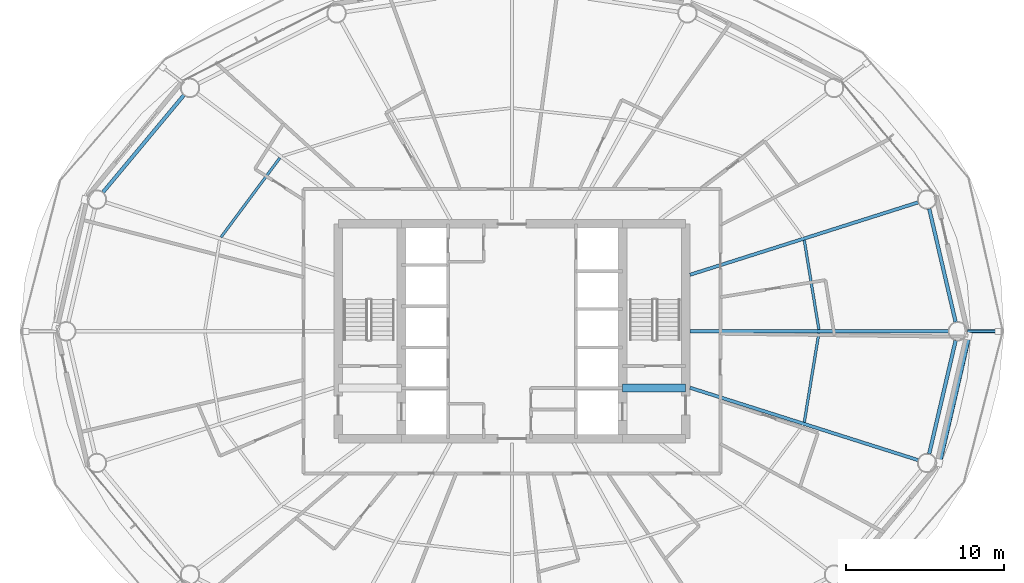
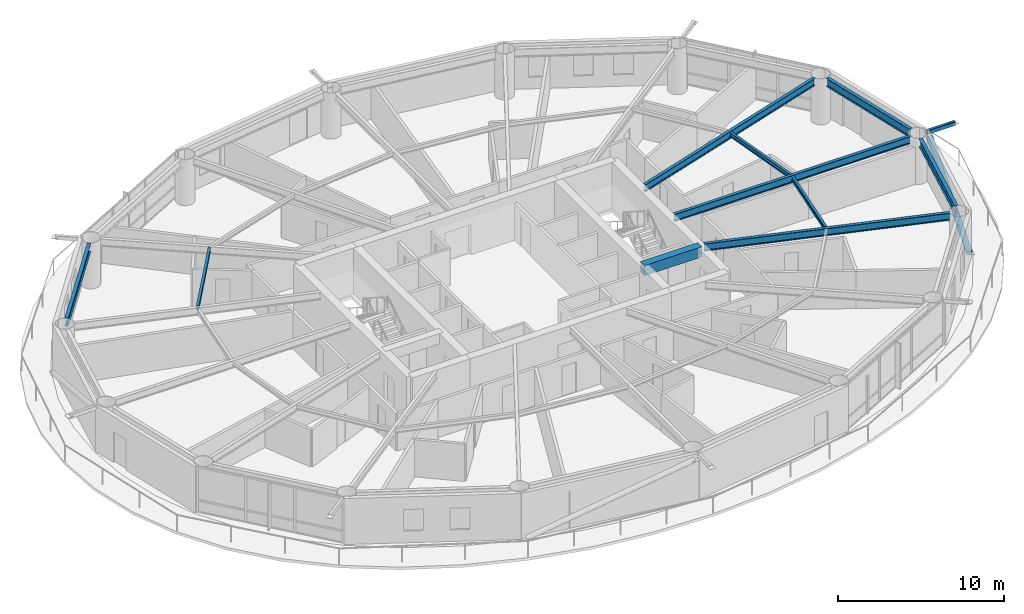
# One storey, part 7 of 24: 10 beams, 2 members.
"""IFC4 building model written with IfcOpenShell, lengths in metres."""

from ifc_helpers import new_model, si_unit, direction, frame, origin, origin_2d, place, context, subcontext, project, spatial, rectangle, hollow_rectangle, hollow_circle, i_section, extrude, material, material_profile, profile_set, type_object, element, save


model = new_model("IFC4")

# Units and contexts
model_context = context("Model", 3, precision=1e-05, world=origin(), true_north=direction((0.0, 1.0)))
body_context = subcontext(model_context, "Body", "Model", "MODEL_VIEW")
ifc_project = project(units=[si_unit("LENGTHUNIT", "METRE"), si_unit("AREAUNIT", "SQUARE_METRE"), si_unit("VOLUMEUNIT", "CUBIC_METRE"), si_unit("PLANEANGLEUNIT", "RADIAN"), si_unit("MASSUNIT", "GRAM", prefix="KILO")], contexts=[model_context])

# Site, building, storey
site_placement = place(None, origin())
site = spatial("IfcSite", under=ifc_project, at=site_placement, CompositionType="ELEMENT")
building_placement = place(site_placement, origin())
building = spatial("IfcBuilding", under=site, at=building_placement, Name="Sarneth Arch Tower", CompositionType="ELEMENT")
storey_placement = place(building_placement, frame((0.0, 0.0, 112.800048828125)))
storey = spatial("IfcBuildingStorey", under=building, at=storey_placement, Name="L28", CompositionType="ELEMENT", Elevation=112.800048828125)

# Beams
ifc_material_1 = material(Name="Steel S355", Category="steel")
ifc_material_profile_1 = material_profile(ifc_material_1, i_section(OverallWidth=0.1669921875, OverallDepth=0.31689453125, WebThickness=0.007568359375, FlangeThickness=0.01318359375, FilletRadius=0.012939453125, at=origin_2d()), Name="W310x52")
ifc_profile_set_1 = profile_set([ifc_material_profile_1], Name="Steel S355")
beam_type_1 = type_object("IfcBeamType", Name="BM-JOIST-310B", PredefinedType="JOIST", material=ifc_profile_set_1)
beam_1_placement = place(storey_placement, frame((67.438720703125, 42.10400390625, 3.221435546875), z_axis=(-0.16118181609, 0.986924729735, 0.0), x_axis=(-0.986924729735, -0.16118181609, 0.0)))
element("IfcBeam", 1, at=beam_1_placement, inside=storey, type_object=beam_type_1, Name="L28 Secondary floor joist 01", PredefinedType="JOIST", context=body_context, shape_type="SweptSolid", body=[
    extrude(i_section(OverallWidth=0.1669921875, OverallDepth=0.31689453125, WebThickness=0.007568359375, FlangeThickness=0.01318359375, FilletRadius=0.012939453125, at=origin_2d()), origin(), (0.0, 0.0, 1.0), 5.736083984375),
])
beam_2_placement = place(storey_placement, frame((33.296630859375, 52.9794921875, 3.221435546875), z_axis=(-0.596098474255, -0.802911333206, 0.0), x_axis=(0.802911333206, -0.596098474255, 0.0)))
element("IfcBeam", 2, at=beam_2_placement, inside=storey, type_object=beam_type_1, Name="L28 Secondary floor joist 07", PredefinedType="JOIST", context=body_context, shape_type="SweptSolid", body=[
    extrude(i_section(OverallWidth=0.1669921875, OverallDepth=0.31689453125, WebThickness=0.007568359375, FlangeThickness=0.01318359375, FilletRadius=0.012939453125, at=origin_2d()), origin(), (0.0, 0.0, 1.0), 6.259033203125),
])
beam_3_placement = place(storey_placement, frame((66.51416015625, 36.23486328125, 3.221435546875), z_axis=(0.16118181609, 0.986924729735, 0.0), x_axis=(-0.986924729735, 0.16118181609, 0.0)))
element("IfcBeam", 3, at=beam_3_placement, inside=storey, type_object=beam_type_1, Name="L28 Secondary floor joist 16", PredefinedType="JOIST", context=body_context, shape_type="SweptSolid", body=[
    extrude(i_section(OverallWidth=0.1669921875, OverallDepth=0.31689453125, WebThickness=0.007568359375, FlangeThickness=0.01318359375, FilletRadius=0.012939453125, at=origin_2d()), origin(), (0.0, 0.0, 1.0), 5.736083984375),
])
ifc_material_2 = material(Name="Concrete C50/60", Category="concrete")
ifc_material_profile_2 = material_profile(ifc_material_2, rectangle(XDim=0.5, YDim=0.75, at=origin_2d()), Name="RC-500x750")
ifc_profile_set_2 = profile_set([ifc_material_profile_2], Name="Concrete C50/60")
beam_type_2 = type_object("IfcBeamType", Name="BM-LINTEL-RC", PredefinedType="LINTEL", material=ifc_profile_set_2)
beam_4_placement = place(storey_placement, frame((55.0, 38.39990234375, 3.0048828125), z_axis=(1.0, 0.0, 0.0), x_axis=(0.0, 1.0, 0.0)))
element("IfcBeam", 4, at=beam_4_placement, inside=storey, type_object=beam_type_2, Name="L28 Core coupling lintel E", PredefinedType="LINTEL", context=body_context, shape_type="SweptSolid", body=[
    extrude(rectangle(XDim=0.5, YDim=0.75, at=origin_2d()), origin(), (0.0, 0.0, 1.0), 4.0),
])
ifc_material_3 = material(Name="Steel S355", Category="steel")
ifc_material_profile_3 = material_profile(ifc_material_3, i_section(OverallWidth=0.2109375, OverallDepth=0.5390625, WebThickness=0.01171875, FlangeThickness=0.018798828125, FilletRadius=0.01806640625, at=origin_2d()), Name="W530x109")
ifc_profile_set_3 = profile_set([ifc_material_profile_3], Name="Steel S355")
beam_type_3 = type_object("IfcBeamType", Name="BM-RAD-530B", PredefinedType="BEAM", material=ifc_profile_set_3)
beam_5_placement = place(storey_placement, frame((59.27490234375, 42.0, 3.1103515625), z_axis=(1.0, 0.0, 0.0), x_axis=(0.0, 1.0, 0.0)))
element("IfcBeam", 5, at=beam_5_placement, inside=storey, type_object=beam_type_3, Name="L28 Radial floor girder 01", PredefinedType="BEAM", context=body_context, shape_type="SweptSolid", body=[
    extrude(i_section(OverallWidth=0.2109375, OverallDepth=0.5390625, WebThickness=0.01171875, FlangeThickness=0.018798828125, FilletRadius=0.01806640625, at=origin_2d()), origin(), (0.0, 0.0, 1.0), 16.36181640625),
])
for number, where, z_axis, x_axis, name in (
    (6, (59.27490234375, 45.57763671875, 3.1103515625), (0.953162461637, 0.302458793435, 0.0), (-0.302458793435, 0.953162461637, 0.0), "L28 Radial floor girder 02"),
    (7, (59.27490234375, 38.42236328125, 3.1103515625), (0.953162461637, -0.302458793435, 0.0), (0.302458793435, 0.953162461637, 0.0), "L28 Radial floor girder 16"),
):
    element("IfcBeam", number, at=place(storey_placement, frame(where, z_axis=z_axis, x_axis=x_axis)), inside=storey, type_object=beam_type_3, Name=name, PredefinedType="BEAM", context=body_context, shape_type="SweptSolid", body=[
        extrude(i_section(OverallWidth=0.2109375, OverallDepth=0.5390625, WebThickness=0.01171875, FlangeThickness=0.018798828125, FilletRadius=0.01806640625, at=origin_2d()), origin(), (0.0, 0.0, 1.0), 15.154052734375),
    ])
ifc_material_4 = material(Name="Steel S355", Category="steel")
ifc_material_profile_4 = material_profile(ifc_material_4, i_section(OverallWidth=0.22900390625, OverallDepth=0.612060546875, WebThickness=0.011962890625, FlangeThickness=0.01953125, FilletRadius=0.01904296875, at=origin_2d()), Name="W610x125")
ifc_profile_set_4 = profile_set([ifc_material_profile_4], Name="Steel S355")
beam_type_4 = type_object("IfcBeamType", Name="BM-SPAN-610C", PredefinedType="SPANDREL", material=ifc_profile_set_4)
beam_6_placement = place(storey_placement, frame((76.100341796875, 42.584228515625, 3.073974609375), z_axis=(-0.227088175252, 0.973874201661, 0.0), x_axis=(-0.973874201661, -0.227088175252, 0.0)))
element("IfcBeam", 8, at=beam_6_placement, inside=storey, type_object=beam_type_4, Name="L28 Perimeter spandrel beam 01", PredefinedType="SPANDREL", context=body_context, shape_type="SweptSolid", body=[
    extrude(i_section(OverallWidth=0.22900390625, OverallDepth=0.612060546875, WebThickness=0.011962890625, FlangeThickness=0.01953125, FilletRadius=0.01904296875, at=origin_2d()), origin(), (0.0, 0.0, 1.0), 7.366455078125),
])
beam_7_placement = place(storey_placement, frame((27.21826171875, 56.9541015625, 3.073974609375), z_axis=(-0.640163403463, -0.768238775946, 0.0), x_axis=(0.768238775946, -0.640163403463, 0.0)))
element("IfcBeam", 9, at=beam_7_placement, inside=storey, type_object=beam_type_4, Name="L28 Perimeter spandrel beam 07", PredefinedType="SPANDREL", context=body_context, shape_type="SweptSolid", body=[
    extrude(i_section(OverallWidth=0.22900390625, OverallDepth=0.612060546875, WebThickness=0.011962890625, FlangeThickness=0.01953125, FilletRadius=0.01904296875, at=origin_2d()), origin(), (0.0, 0.0, 1.0), 8.006103515625),
])
beam_8_placement = place(storey_placement, frame((74.427490234375, 34.24169921875, 3.073974609375), z_axis=(0.227088175252, 0.973874201661, 0.0), x_axis=(-0.973874201661, 0.227088175252, 0.0)))
element("IfcBeam", 10, at=beam_8_placement, inside=storey, type_object=beam_type_4, Name="L28 Perimeter spandrel beam 16", PredefinedType="SPANDREL", context=body_context, shape_type="SweptSolid", body=[
    extrude(i_section(OverallWidth=0.22900390625, OverallDepth=0.612060546875, WebThickness=0.011962890625, FlangeThickness=0.01953125, FilletRadius=0.01904296875, at=origin_2d()), origin(), (0.0, 0.0, 1.0), 7.366455078125),
])

# Members
ifc_material_5 = material(Name="Steel S355", Category="steel")
ifc_material_profile_5 = material_profile(ifc_material_5, hollow_rectangle(XDim=0.199951171875, YDim=0.300048828125, WallThickness=0.012451171875, InnerFilletRadius=0.018798828125, OuterFilletRadius=0.03125, at=origin_2d()), Name="RHS300x200x12.5")
ifc_profile_set_5 = profile_set([ifc_material_profile_5], Name="Steel S355")
member_type_1 = type_object("IfcMemberType", Name="MEM-CANT-STRUT", PredefinedType="STRUT", material=ifc_profile_set_5)
member_1_placement = place(storey_placement, frame((76.836669921875, 42.0, 3.219970703125), z_axis=(1.0, 0.0, 0.0), x_axis=(0.0, 1.0, 0.0)))
element("IfcMember", 11, at=member_1_placement, inside=storey, type_object=member_type_1, Name="L28 Balcony cantilever bracket 01", PredefinedType="STRUT", context=body_context, shape_type="SweptSolid", body=[
    extrude(hollow_rectangle(XDim=0.199951171875, YDim=0.300048828125, WallThickness=0.012451171875, InnerFilletRadius=0.018798828125, OuterFilletRadius=0.03125, at=origin_2d()), origin(), (0.0, 0.0, 1.0), 1.958984375),
])
ifc_material_6 = material(Name="Steel S355", Category="steel")
ifc_material_profile_6 = material_profile(ifc_material_6, hollow_circle(Radius=0.202880859375, WallThickness=0.01611328125, at=origin_2d()), Name="CHS406x16")
ifc_profile_set_6 = profile_set([ifc_material_profile_6], Name="Steel S355")
member_type_2 = type_object("IfcMemberType", Name="MEM-DIAG-BR2", PredefinedType="BRACE", material=ifc_profile_set_6)
member_2_placement = place(storey_placement, frame((75.01953125, 33.67041015625, 0.02001953125), z_axis=(0.211851767223, 0.915872886243, 0.341021531532), x_axis=(-0.974275349464, 0.225360918143, 0.0)))
element("IfcMember", 12, at=member_2_placement, inside=storey, type_object=member_type_2, Name="L28 Perimeter frame diagonal 16", PredefinedType="BRACE", context=body_context, shape_type="SweptSolid", body=[
    extrude(hollow_circle(Radius=0.202880859375, WallThickness=0.01611328125, at=origin_2d()), origin(), (0.0, 0.0, 1.0), 8.775634765625),
])

save(model, "model.ifc")
